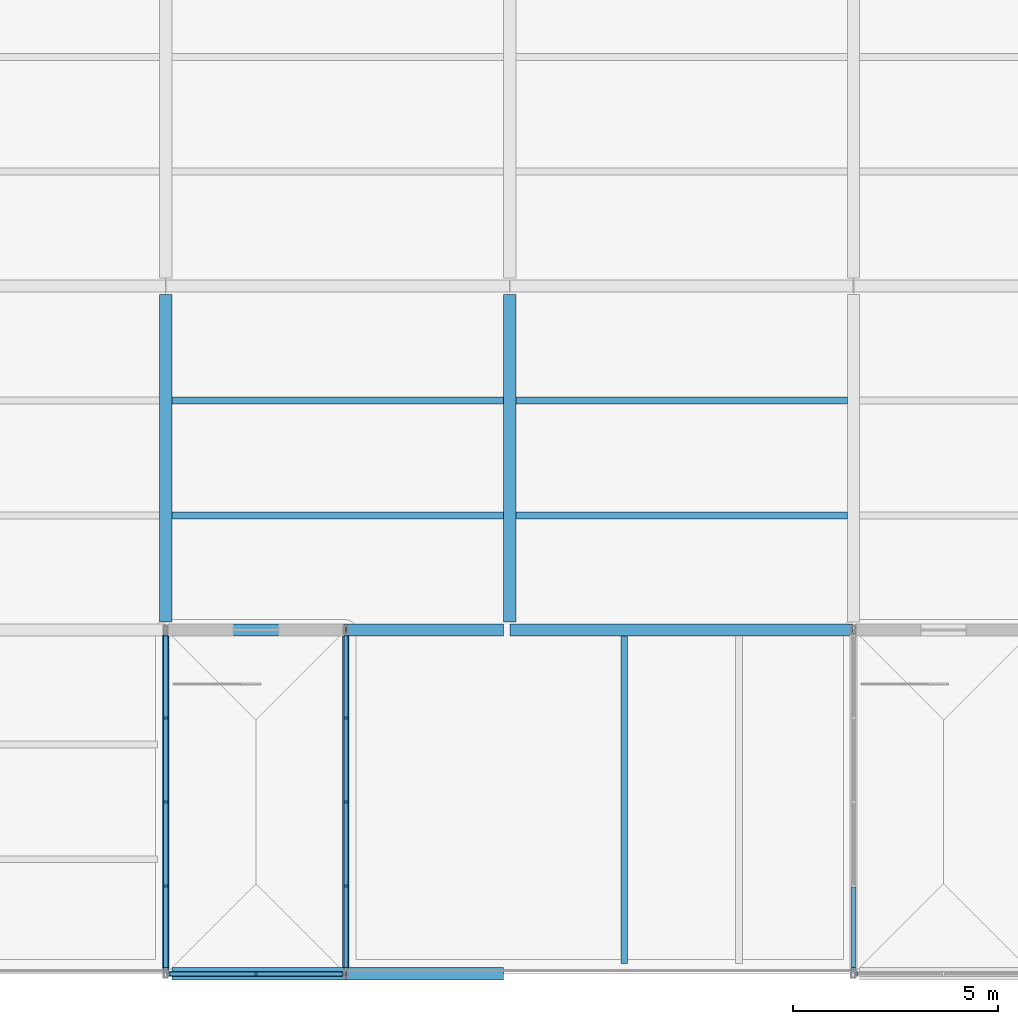
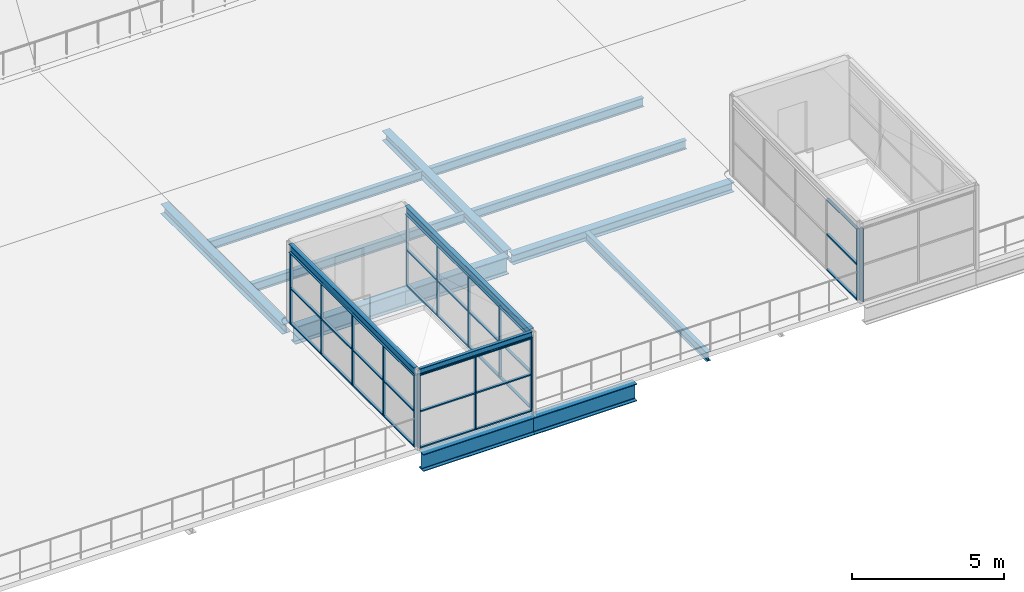
# One storey, part 14 of 58: 48 members, 15 beams, 5 elements without a shape of their own.
"""IFC4 building model written with IfcOpenShell, lengths in metres."""

from ifc_helpers import new_model, si_unit, direction, frame, origin, origin_2d, place, context, subcontext, project, spatial, rectangle, i_section, extrude, material, layer, layer_set, material_profile, profile_set, type_object, element, aggregate, save


model = new_model("IFC4")

# Units and contexts
model_context = context("Model", 3, precision=1e-05, world=origin(), true_north=direction((0.0, 1.0)))
body_context = subcontext(model_context, "Body", "Model", "MODEL_VIEW")
ifc_project = project(units=[si_unit("LENGTHUNIT", "METRE"), si_unit("AREAUNIT", "SQUARE_METRE"), si_unit("VOLUMEUNIT", "CUBIC_METRE"), si_unit("PLANEANGLEUNIT", "RADIAN"), si_unit("MASSUNIT", "GRAM", prefix="KILO")], contexts=[model_context])

# Site, building, storey
site_placement = place(None, origin())
site = spatial("IfcSite", under=ifc_project, at=site_placement, CompositionType="ELEMENT")
building_placement = place(site_placement, origin())
building = spatial("IfcBuilding", under=site, at=building_placement, Name="Galleria Vessillo Department Store", CompositionType="ELEMENT")
storey_placement = place(building_placement, frame((0.0, 0.0, 31.199951171875)))
storey = spatial("IfcBuildingStorey", under=building, at=storey_placement, Name="L06", CompositionType="ELEMENT", Elevation=31.199951171875)

# Curtain wall, members
ifc_material_1 = material(Name="Aluminium and glass curtain wall", Category="aluminium")
ifc_layer = layer(ifc_material_1, 0.10009765625)
ifc_layer_set = layer_set([ifc_layer], Name="Aluminium and glass curtain wall")
curtain_wall_type = type_object("IfcCurtainWallType", Name="Pavilion curtain wall CW5 2100 module", PredefinedType="NOTDEFINED", material=ifc_layer_set)
curtain_wall_1_placement = place(storey_placement, origin())
curtain_wall_1 = element("IfcCurtainWall", 1, at=curtain_wall_1_placement, inside=storey, type_object=curtain_wall_type, Name="Pavilion curtain wall CW5 2100 module PV-ST3-A", PredefinedType="NOTDEFINED")
ifc_material_2 = material(Name="Aluminium alloy 6063 T6", Category="aluminium")
ifc_material_profile_1 = material_profile(ifc_material_2, rectangle(XDim=0.10009765625, YDim=0.050048828125, at=origin_2d()), Name="AL 50x100")
ifc_profile_set_1 = profile_set([ifc_material_profile_1], Name="Aluminium alloy 6063 T6")
member_type_1 = type_object("IfcMemberType", Name="Aluminium mullion 50 x 100", PredefinedType="MULLION", material=ifc_profile_set_1)
member_1_placement = place(storey_placement, frame((33.60009765625, 0.125, 0.0), z_axis=(0.0, 0.0, 1.0), x_axis=(-1.0, 0.0, 0.0)))
member_1 = element("IfcMember", 2, at=member_1_placement, type_object=member_type_1, Name="CW5 mullion 1", PredefinedType="MULLION", context=body_context, shape_type="SweptSolid", body=[
    extrude(rectangle(XDim=0.10009765625, YDim=0.050048828125, at=origin_2d()), origin(), (0.0, 0.0, 1.0), 2.8701171875),
])
member_2_placement = place(storey_placement, frame((33.60009765625, 2.14990234375, 0.0), z_axis=(0.0, 0.0, 1.0), x_axis=(-1.0, 0.0, 0.0)))
member_2 = element("IfcMember", 3, at=member_2_placement, type_object=member_type_1, Name="CW5 mullion 2", PredefinedType="MULLION", context=body_context, shape_type="SweptSolid", body=[
    extrude(rectangle(XDim=0.10009765625, YDim=0.050048828125, at=origin_2d()), origin(), (0.0, 0.0, 1.0), 2.8701171875),
])
member_3_placement = place(storey_placement, frame((33.60009765625, 4.199951171875, 0.0), z_axis=(0.0, 0.0, 1.0), x_axis=(-1.0, 0.0, 0.0)))
member_3 = element("IfcMember", 4, at=member_3_placement, type_object=member_type_1, Name="CW5 mullion 3", PredefinedType="MULLION", context=body_context, shape_type="SweptSolid", body=[
    extrude(rectangle(XDim=0.10009765625, YDim=0.050048828125, at=origin_2d()), origin(), (0.0, 0.0, 1.0), 2.8701171875),
])
member_4_placement = place(storey_placement, frame((33.60009765625, 6.25, 0.0), z_axis=(0.0, 0.0, 1.0), x_axis=(-1.0, 0.0, 0.0)))
member_4 = element("IfcMember", 5, at=member_4_placement, type_object=member_type_1, Name="CW5 mullion 4", PredefinedType="MULLION", context=body_context, shape_type="SweptSolid", body=[
    extrude(rectangle(XDim=0.10009765625, YDim=0.050048828125, at=origin_2d()), origin(), (0.0, 0.0, 1.0), 2.8701171875),
])
member_5_placement = place(storey_placement, frame((33.60009765625, 8.27490234375, 0.0), z_axis=(0.0, 0.0, 1.0), x_axis=(-1.0, 0.0, 0.0)))
member_5 = element("IfcMember", 6, at=member_5_placement, type_object=member_type_1, Name="CW5 mullion 5", PredefinedType="MULLION", context=body_context, shape_type="SweptSolid", body=[
    extrude(rectangle(XDim=0.10009765625, YDim=0.050048828125, at=origin_2d()), origin(), (0.0, 0.0, 1.0), 2.8701171875),
])

curtain_wall_2_placement = place(storey_placement, origin())
curtain_wall_2 = element("IfcCurtainWall", 7, at=curtain_wall_2_placement, inside=storey, type_object=curtain_wall_type, Name="Pavilion curtain wall CW5 2100 module PV-ST3-B", PredefinedType="NOTDEFINED")
member_6_placement = place(storey_placement, frame((38.0, 0.125, 0.0), z_axis=(0.0, 0.0, 1.0), x_axis=(-1.0, 0.0, 0.0)))
member_6 = element("IfcMember", 8, at=member_6_placement, type_object=member_type_1, Name="CW5 mullion 1", PredefinedType="MULLION", context=body_context, shape_type="SweptSolid", body=[
    extrude(rectangle(XDim=0.10009765625, YDim=0.050048828125, at=origin_2d()), origin(), (0.0, 0.0, 1.0), 2.8701171875),
])
member_7_placement = place(storey_placement, frame((38.0, 2.14990234375, 0.0), z_axis=(0.0, 0.0, 1.0), x_axis=(-1.0, 0.0, 0.0)))
member_7 = element("IfcMember", 9, at=member_7_placement, type_object=member_type_1, Name="CW5 mullion 2", PredefinedType="MULLION", context=body_context, shape_type="SweptSolid", body=[
    extrude(rectangle(XDim=0.10009765625, YDim=0.050048828125, at=origin_2d()), origin(), (0.0, 0.0, 1.0), 2.8701171875),
])
member_8_placement = place(storey_placement, frame((38.0, 4.199951171875, 0.0), z_axis=(0.0, 0.0, 1.0), x_axis=(-1.0, 0.0, 0.0)))
member_8 = element("IfcMember", 10, at=member_8_placement, type_object=member_type_1, Name="CW5 mullion 3", PredefinedType="MULLION", context=body_context, shape_type="SweptSolid", body=[
    extrude(rectangle(XDim=0.10009765625, YDim=0.050048828125, at=origin_2d()), origin(), (0.0, 0.0, 1.0), 2.8701171875),
])
member_9_placement = place(storey_placement, frame((38.0, 6.25, 0.0), z_axis=(0.0, 0.0, 1.0), x_axis=(-1.0, 0.0, 0.0)))
member_9 = element("IfcMember", 11, at=member_9_placement, type_object=member_type_1, Name="CW5 mullion 4", PredefinedType="MULLION", context=body_context, shape_type="SweptSolid", body=[
    extrude(rectangle(XDim=0.10009765625, YDim=0.050048828125, at=origin_2d()), origin(), (0.0, 0.0, 1.0), 2.8701171875),
])
member_10_placement = place(storey_placement, frame((38.0, 8.27490234375, 0.0), z_axis=(0.0, 0.0, 1.0), x_axis=(-1.0, 0.0, 0.0)))
member_10 = element("IfcMember", 12, at=member_10_placement, type_object=member_type_1, Name="CW5 mullion 5", PredefinedType="MULLION", context=body_context, shape_type="SweptSolid", body=[
    extrude(rectangle(XDim=0.10009765625, YDim=0.050048828125, at=origin_2d()), origin(), (0.0, 0.0, 1.0), 2.8701171875),
])

curtain_wall_3_placement = place(storey_placement, origin())
curtain_wall_3 = element("IfcCurtainWall", 13, at=curtain_wall_3_placement, inside=storey, type_object=curtain_wall_type, Name="Pavilion curtain wall CW5 2100 module PV-ST3-F", PredefinedType="NOTDEFINED")
member_11_placement = place(storey_placement, frame((33.675048828125, 0.0, 0.0), z_axis=(0.0, 0.0, 1.0), x_axis=(0.0, 1.0, 0.0)))
member_11 = element("IfcMember", 14, at=member_11_placement, type_object=member_type_1, Name="CW5 mullion 1", PredefinedType="MULLION", context=body_context, shape_type="SweptSolid", body=[
    extrude(rectangle(XDim=0.10009765625, YDim=0.050048828125, at=origin_2d()), origin(), (0.0, 0.0, 1.0), 2.960205078125),
])
member_12_placement = place(storey_placement, frame((35.800048828125, 0.0, 0.0), z_axis=(0.0, 0.0, 1.0), x_axis=(0.0, 1.0, 0.0)))
member_12 = element("IfcMember", 15, at=member_12_placement, type_object=member_type_1, Name="CW5 mullion 2", PredefinedType="MULLION", context=body_context, shape_type="SweptSolid", body=[
    extrude(rectangle(XDim=0.10009765625, YDim=0.050048828125, at=origin_2d()), origin(), (0.0, 0.0, 1.0), 2.960205078125),
])
member_13_placement = place(storey_placement, frame((37.925048828125, 0.0, 0.0), z_axis=(0.0, 0.0, 1.0), x_axis=(0.0, 1.0, 0.0)))
member_13 = element("IfcMember", 16, at=member_13_placement, type_object=member_type_1, Name="CW5 mullion 3", PredefinedType="MULLION", context=body_context, shape_type="SweptSolid", body=[
    extrude(rectangle(XDim=0.10009765625, YDim=0.050048828125, at=origin_2d()), origin(), (0.0, 0.0, 1.0), 2.960205078125),
])

# Curtain wall, member
curtain_wall_4_placement = place(storey_placement, origin())
curtain_wall_4 = element("IfcCurtainWall", 17, at=curtain_wall_4_placement, inside=storey, type_object=curtain_wall_type, Name="Pavilion curtain wall CW5 2100 module PV-ST10-A", PredefinedType="NOTDEFINED")
member_14_placement = place(storey_placement, frame((50.39990234375, 0.125, 0.0), z_axis=(0.0, 0.0, 1.0), x_axis=(-1.0, 0.0, 0.0)))
member_14 = element("IfcMember", 18, at=member_14_placement, type_object=member_type_1, Name="CW5 mullion 1", PredefinedType="MULLION", context=body_context, shape_type="SweptSolid", body=[
    extrude(rectangle(XDim=0.10009765625, YDim=0.050048828125, at=origin_2d()), origin(), (0.0, 0.0, 1.0), 2.8701171875),
])

curtain_wall_5_placement = place(storey_placement, origin())
curtain_wall_5 = element("IfcCurtainWall", 19, at=curtain_wall_5_placement, inside=storey, type_object=curtain_wall_type, Name="Pavilion curtain wall CW5 2100 module PV-ST10-F", PredefinedType="NOTDEFINED")
member_15_placement = place(storey_placement, frame((50.474853515625, 0.0, 0.0), z_axis=(0.0, 0.0, 1.0), x_axis=(0.0, 1.0, 0.0)))
member_15 = element("IfcMember", 20, at=member_15_placement, type_object=member_type_1, Name="CW5 mullion 1", PredefinedType="MULLION", context=body_context, shape_type="SweptSolid", body=[
    extrude(rectangle(XDim=0.10009765625, YDim=0.050048828125, at=origin_2d()), origin(), (0.0, 0.0, 1.0), 2.960205078125),
])
aggregate(curtain_wall_5, [member_15])

# Member
ifc_material_3 = material(Name="Aluminium alloy 6063 T6", Category="aluminium")
ifc_material_profile_2 = material_profile(ifc_material_3, rectangle(XDim=0.10009765625, YDim=0.050048828125, at=origin_2d()), Name="AL 50x100")
ifc_profile_set_2 = profile_set([ifc_material_profile_2], Name="Aluminium alloy 6063 T6")
member_type_2 = type_object("IfcMemberType", Name="Aluminium transom 50 x 100", PredefinedType="USERDEFINED", material=ifc_profile_set_2)
member_16_placement = place(storey_placement, frame((33.60009765625, 0.14990234375, 0.025146484375), z_axis=(0.0, 1.0, 0.0), x_axis=(-1.0, 0.0, 0.0)))
member_16 = element("IfcMember", 21, at=member_16_placement, type_object=member_type_2, Name="CW5 transom 1.1", ObjectType="TRANSOM", PredefinedType="USERDEFINED", context=body_context, shape_type="SweptSolid", body=[
    extrude(rectangle(XDim=0.10009765625, YDim=0.050048828125, at=origin_2d()), origin(), (0.0, 0.0, 1.0), 1.97509765625),
])

member_17_placement = place(storey_placement, frame((33.60009765625, 0.14990234375, 1.43505859375), z_axis=(0.0, 1.0, 0.0), x_axis=(-1.0, 0.0, 0.0)))
member_17 = element("IfcMember", 22, at=member_17_placement, type_object=member_type_2, Name="CW5 transom 1.2", ObjectType="TRANSOM", PredefinedType="USERDEFINED", context=body_context, shape_type="SweptSolid", body=[
    extrude(rectangle(XDim=0.10009765625, YDim=0.050048828125, at=origin_2d()), origin(), (0.0, 0.0, 1.0), 1.97509765625),
])

member_18_placement = place(storey_placement, frame((33.60009765625, 0.14990234375, 2.84521484375), z_axis=(0.0, 1.0, 0.0), x_axis=(-1.0, 0.0, 0.0)))
member_18 = element("IfcMember", 23, at=member_18_placement, type_object=member_type_2, Name="CW5 transom 1.3", ObjectType="TRANSOM", PredefinedType="USERDEFINED", context=body_context, shape_type="SweptSolid", body=[
    extrude(rectangle(XDim=0.10009765625, YDim=0.050048828125, at=origin_2d()), origin(), (0.0, 0.0, 1.0), 1.97509765625),
])

member_19_placement = place(storey_placement, frame((33.60009765625, 2.175048828125, 0.025146484375), z_axis=(0.0, 1.0, 0.0), x_axis=(-1.0, 0.0, 0.0)))
member_19 = element("IfcMember", 24, at=member_19_placement, type_object=member_type_2, Name="CW5 transom 2.1", ObjectType="TRANSOM", PredefinedType="USERDEFINED", context=body_context, shape_type="SweptSolid", body=[
    extrude(rectangle(XDim=0.10009765625, YDim=0.050048828125, at=origin_2d()), origin(), (0.0, 0.0, 1.0), 2.0),
])

member_20_placement = place(storey_placement, frame((33.60009765625, 2.175048828125, 1.43505859375), z_axis=(0.0, 1.0, 0.0), x_axis=(-1.0, 0.0, 0.0)))
member_20 = element("IfcMember", 25, at=member_20_placement, type_object=member_type_2, Name="CW5 transom 2.2", ObjectType="TRANSOM", PredefinedType="USERDEFINED", context=body_context, shape_type="SweptSolid", body=[
    extrude(rectangle(XDim=0.10009765625, YDim=0.050048828125, at=origin_2d()), origin(), (0.0, 0.0, 1.0), 2.0),
])

member_21_placement = place(storey_placement, frame((33.60009765625, 2.175048828125, 2.84521484375), z_axis=(0.0, 1.0, 0.0), x_axis=(-1.0, 0.0, 0.0)))
member_21 = element("IfcMember", 26, at=member_21_placement, type_object=member_type_2, Name="CW5 transom 2.3", ObjectType="TRANSOM", PredefinedType="USERDEFINED", context=body_context, shape_type="SweptSolid", body=[
    extrude(rectangle(XDim=0.10009765625, YDim=0.050048828125, at=origin_2d()), origin(), (0.0, 0.0, 1.0), 2.0),
])

member_22_placement = place(storey_placement, frame((33.60009765625, 4.224853515625, 0.025146484375), z_axis=(0.0, 1.0, 0.0), x_axis=(-1.0, 0.0, 0.0)))
member_22 = element("IfcMember", 27, at=member_22_placement, type_object=member_type_2, Name="CW5 transom 3.1", ObjectType="TRANSOM", PredefinedType="USERDEFINED", context=body_context, shape_type="SweptSolid", body=[
    extrude(rectangle(XDim=0.10009765625, YDim=0.050048828125, at=origin_2d()), origin(), (0.0, 0.0, 1.0), 2.0),
])

member_23_placement = place(storey_placement, frame((33.60009765625, 4.224853515625, 1.43505859375), z_axis=(0.0, 1.0, 0.0), x_axis=(-1.0, 0.0, 0.0)))
member_23 = element("IfcMember", 28, at=member_23_placement, type_object=member_type_2, Name="CW5 transom 3.2", ObjectType="TRANSOM", PredefinedType="USERDEFINED", context=body_context, shape_type="SweptSolid", body=[
    extrude(rectangle(XDim=0.10009765625, YDim=0.050048828125, at=origin_2d()), origin(), (0.0, 0.0, 1.0), 2.0),
])

member_24_placement = place(storey_placement, frame((33.60009765625, 4.224853515625, 2.84521484375), z_axis=(0.0, 1.0, 0.0), x_axis=(-1.0, 0.0, 0.0)))
member_24 = element("IfcMember", 29, at=member_24_placement, type_object=member_type_2, Name="CW5 transom 3.3", ObjectType="TRANSOM", PredefinedType="USERDEFINED", context=body_context, shape_type="SweptSolid", body=[
    extrude(rectangle(XDim=0.10009765625, YDim=0.050048828125, at=origin_2d()), origin(), (0.0, 0.0, 1.0), 2.0),
])

member_25_placement = place(storey_placement, frame((33.60009765625, 6.27490234375, 0.025146484375), z_axis=(0.0, 1.0, 0.0), x_axis=(-1.0, 0.0, 0.0)))
member_25 = element("IfcMember", 30, at=member_25_placement, type_object=member_type_2, Name="CW5 transom 4.1", ObjectType="TRANSOM", PredefinedType="USERDEFINED", context=body_context, shape_type="SweptSolid", body=[
    extrude(rectangle(XDim=0.10009765625, YDim=0.050048828125, at=origin_2d()), origin(), (0.0, 0.0, 1.0), 1.97509765625),
])

member_26_placement = place(storey_placement, frame((33.60009765625, 6.27490234375, 1.43505859375), z_axis=(0.0, 1.0, 0.0), x_axis=(-1.0, 0.0, 0.0)))
member_26 = element("IfcMember", 31, at=member_26_placement, type_object=member_type_2, Name="CW5 transom 4.2", ObjectType="TRANSOM", PredefinedType="USERDEFINED", context=body_context, shape_type="SweptSolid", body=[
    extrude(rectangle(XDim=0.10009765625, YDim=0.050048828125, at=origin_2d()), origin(), (0.0, 0.0, 1.0), 1.97509765625),
])

member_27_placement = place(storey_placement, frame((33.60009765625, 6.27490234375, 2.84521484375), z_axis=(0.0, 1.0, 0.0), x_axis=(-1.0, 0.0, 0.0)))
member_27 = element("IfcMember", 32, at=member_27_placement, type_object=member_type_2, Name="CW5 transom 4.3", ObjectType="TRANSOM", PredefinedType="USERDEFINED", context=body_context, shape_type="SweptSolid", body=[
    extrude(rectangle(XDim=0.10009765625, YDim=0.050048828125, at=origin_2d()), origin(), (0.0, 0.0, 1.0), 1.97509765625),
])

aggregate(curtain_wall_1, [member_1, member_2, member_3, member_4, member_5, member_16, member_17, member_18, member_19, member_20, member_21, member_22, member_23, member_24, member_25, member_26, member_27])

member_28_placement = place(storey_placement, frame((38.0, 0.14990234375, 0.025146484375), z_axis=(0.0, 1.0, 0.0), x_axis=(-1.0, 0.0, 0.0)))
member_28 = element("IfcMember", 33, at=member_28_placement, type_object=member_type_2, Name="CW5 transom 1.1", ObjectType="TRANSOM", PredefinedType="USERDEFINED", context=body_context, shape_type="SweptSolid", body=[
    extrude(rectangle(XDim=0.10009765625, YDim=0.050048828125, at=origin_2d()), origin(), (0.0, 0.0, 1.0), 1.97509765625),
])

member_29_placement = place(storey_placement, frame((38.0, 0.14990234375, 1.43505859375), z_axis=(0.0, 1.0, 0.0), x_axis=(-1.0, 0.0, 0.0)))
member_29 = element("IfcMember", 34, at=member_29_placement, type_object=member_type_2, Name="CW5 transom 1.2", ObjectType="TRANSOM", PredefinedType="USERDEFINED", context=body_context, shape_type="SweptSolid", body=[
    extrude(rectangle(XDim=0.10009765625, YDim=0.050048828125, at=origin_2d()), origin(), (0.0, 0.0, 1.0), 1.97509765625),
])

member_30_placement = place(storey_placement, frame((38.0, 0.14990234375, 2.84521484375), z_axis=(0.0, 1.0, 0.0), x_axis=(-1.0, 0.0, 0.0)))
member_30 = element("IfcMember", 35, at=member_30_placement, type_object=member_type_2, Name="CW5 transom 1.3", ObjectType="TRANSOM", PredefinedType="USERDEFINED", context=body_context, shape_type="SweptSolid", body=[
    extrude(rectangle(XDim=0.10009765625, YDim=0.050048828125, at=origin_2d()), origin(), (0.0, 0.0, 1.0), 1.97509765625),
])

member_31_placement = place(storey_placement, frame((38.0, 2.175048828125, 0.025146484375), z_axis=(0.0, 1.0, 0.0), x_axis=(-1.0, 0.0, 0.0)))
member_31 = element("IfcMember", 36, at=member_31_placement, type_object=member_type_2, Name="CW5 transom 2.1", ObjectType="TRANSOM", PredefinedType="USERDEFINED", context=body_context, shape_type="SweptSolid", body=[
    extrude(rectangle(XDim=0.10009765625, YDim=0.050048828125, at=origin_2d()), origin(), (0.0, 0.0, 1.0), 2.0),
])

member_32_placement = place(storey_placement, frame((38.0, 2.175048828125, 1.43505859375), z_axis=(0.0, 1.0, 0.0), x_axis=(-1.0, 0.0, 0.0)))
member_32 = element("IfcMember", 37, at=member_32_placement, type_object=member_type_2, Name="CW5 transom 2.2", ObjectType="TRANSOM", PredefinedType="USERDEFINED", context=body_context, shape_type="SweptSolid", body=[
    extrude(rectangle(XDim=0.10009765625, YDim=0.050048828125, at=origin_2d()), origin(), (0.0, 0.0, 1.0), 2.0),
])

member_33_placement = place(storey_placement, frame((38.0, 2.175048828125, 2.84521484375), z_axis=(0.0, 1.0, 0.0), x_axis=(-1.0, 0.0, 0.0)))
member_33 = element("IfcMember", 38, at=member_33_placement, type_object=member_type_2, Name="CW5 transom 2.3", ObjectType="TRANSOM", PredefinedType="USERDEFINED", context=body_context, shape_type="SweptSolid", body=[
    extrude(rectangle(XDim=0.10009765625, YDim=0.050048828125, at=origin_2d()), origin(), (0.0, 0.0, 1.0), 2.0),
])

member_34_placement = place(storey_placement, frame((38.0, 4.224853515625, 0.025146484375), z_axis=(0.0, 1.0, 0.0), x_axis=(-1.0, 0.0, 0.0)))
member_34 = element("IfcMember", 39, at=member_34_placement, type_object=member_type_2, Name="CW5 transom 3.1", ObjectType="TRANSOM", PredefinedType="USERDEFINED", context=body_context, shape_type="SweptSolid", body=[
    extrude(rectangle(XDim=0.10009765625, YDim=0.050048828125, at=origin_2d()), origin(), (0.0, 0.0, 1.0), 2.0),
])

member_35_placement = place(storey_placement, frame((38.0, 4.224853515625, 1.43505859375), z_axis=(0.0, 1.0, 0.0), x_axis=(-1.0, 0.0, 0.0)))
member_35 = element("IfcMember", 40, at=member_35_placement, type_object=member_type_2, Name="CW5 transom 3.2", ObjectType="TRANSOM", PredefinedType="USERDEFINED", context=body_context, shape_type="SweptSolid", body=[
    extrude(rectangle(XDim=0.10009765625, YDim=0.050048828125, at=origin_2d()), origin(), (0.0, 0.0, 1.0), 2.0),
])

member_36_placement = place(storey_placement, frame((38.0, 4.224853515625, 2.84521484375), z_axis=(0.0, 1.0, 0.0), x_axis=(-1.0, 0.0, 0.0)))
member_36 = element("IfcMember", 41, at=member_36_placement, type_object=member_type_2, Name="CW5 transom 3.3", ObjectType="TRANSOM", PredefinedType="USERDEFINED", context=body_context, shape_type="SweptSolid", body=[
    extrude(rectangle(XDim=0.10009765625, YDim=0.050048828125, at=origin_2d()), origin(), (0.0, 0.0, 1.0), 2.0),
])

member_37_placement = place(storey_placement, frame((38.0, 6.27490234375, 0.025146484375), z_axis=(0.0, 1.0, 0.0), x_axis=(-1.0, 0.0, 0.0)))
member_37 = element("IfcMember", 42, at=member_37_placement, type_object=member_type_2, Name="CW5 transom 4.1", ObjectType="TRANSOM", PredefinedType="USERDEFINED", context=body_context, shape_type="SweptSolid", body=[
    extrude(rectangle(XDim=0.10009765625, YDim=0.050048828125, at=origin_2d()), origin(), (0.0, 0.0, 1.0), 1.97509765625),
])

member_38_placement = place(storey_placement, frame((38.0, 6.27490234375, 1.43505859375), z_axis=(0.0, 1.0, 0.0), x_axis=(-1.0, 0.0, 0.0)))
member_38 = element("IfcMember", 43, at=member_38_placement, type_object=member_type_2, Name="CW5 transom 4.2", ObjectType="TRANSOM", PredefinedType="USERDEFINED", context=body_context, shape_type="SweptSolid", body=[
    extrude(rectangle(XDim=0.10009765625, YDim=0.050048828125, at=origin_2d()), origin(), (0.0, 0.0, 1.0), 1.97509765625),
])

member_39_placement = place(storey_placement, frame((38.0, 6.27490234375, 2.84521484375), z_axis=(0.0, 1.0, 0.0), x_axis=(-1.0, 0.0, 0.0)))
member_39 = element("IfcMember", 44, at=member_39_placement, type_object=member_type_2, Name="CW5 transom 4.3", ObjectType="TRANSOM", PredefinedType="USERDEFINED", context=body_context, shape_type="SweptSolid", body=[
    extrude(rectangle(XDim=0.10009765625, YDim=0.050048828125, at=origin_2d()), origin(), (0.0, 0.0, 1.0), 1.97509765625),
])

aggregate(curtain_wall_2, [member_6, member_7, member_8, member_9, member_10, member_28, member_29, member_30, member_31, member_32, member_33, member_34, member_35, member_36, member_37, member_38, member_39])

member_40_placement = place(storey_placement, frame((33.7001953125, 0.0, 0.025146484375), z_axis=(1.0, 0.0, 0.0), x_axis=(0.0, 1.0, 0.0)))
member_40 = element("IfcMember", 45, at=member_40_placement, type_object=member_type_2, Name="CW5 transom 1.1", ObjectType="TRANSOM", PredefinedType="USERDEFINED", context=body_context, shape_type="SweptSolid", body=[
    extrude(rectangle(XDim=0.10009765625, YDim=0.050048828125, at=origin_2d()), origin(), (0.0, 0.0, 1.0), 2.074951171875),
])

member_41_placement = place(storey_placement, frame((33.7001953125, 0.0, 1.480224609375), z_axis=(1.0, 0.0, 0.0), x_axis=(0.0, 1.0, 0.0)))
member_41 = element("IfcMember", 46, at=member_41_placement, type_object=member_type_2, Name="CW5 transom 1.2", ObjectType="TRANSOM", PredefinedType="USERDEFINED", context=body_context, shape_type="SweptSolid", body=[
    extrude(rectangle(XDim=0.10009765625, YDim=0.050048828125, at=origin_2d()), origin(), (0.0, 0.0, 1.0), 2.074951171875),
])

member_42_placement = place(storey_placement, frame((33.7001953125, 0.0, 2.935302734375), z_axis=(1.0, 0.0, 0.0), x_axis=(0.0, 1.0, 0.0)))
member_42 = element("IfcMember", 47, at=member_42_placement, type_object=member_type_2, Name="CW5 transom 1.3", ObjectType="TRANSOM", PredefinedType="USERDEFINED", context=body_context, shape_type="SweptSolid", body=[
    extrude(rectangle(XDim=0.10009765625, YDim=0.050048828125, at=origin_2d()), origin(), (0.0, 0.0, 1.0), 2.074951171875),
])

member_43_placement = place(storey_placement, frame((35.824951171875, 0.0, 0.025146484375), z_axis=(1.0, 0.0, 0.0), x_axis=(0.0, 1.0, 0.0)))
member_43 = element("IfcMember", 48, at=member_43_placement, type_object=member_type_2, Name="CW5 transom 2.1", ObjectType="TRANSOM", PredefinedType="USERDEFINED", context=body_context, shape_type="SweptSolid", body=[
    extrude(rectangle(XDim=0.10009765625, YDim=0.050048828125, at=origin_2d()), origin(), (0.0, 0.0, 1.0), 2.074951171875),
])

member_44_placement = place(storey_placement, frame((35.824951171875, 0.0, 1.480224609375), z_axis=(1.0, 0.0, 0.0), x_axis=(0.0, 1.0, 0.0)))
member_44 = element("IfcMember", 49, at=member_44_placement, type_object=member_type_2, Name="CW5 transom 2.2", ObjectType="TRANSOM", PredefinedType="USERDEFINED", context=body_context, shape_type="SweptSolid", body=[
    extrude(rectangle(XDim=0.10009765625, YDim=0.050048828125, at=origin_2d()), origin(), (0.0, 0.0, 1.0), 2.074951171875),
])

member_45_placement = place(storey_placement, frame((35.824951171875, 0.0, 2.935302734375), z_axis=(1.0, 0.0, 0.0), x_axis=(0.0, 1.0, 0.0)))
member_45 = element("IfcMember", 50, at=member_45_placement, type_object=member_type_2, Name="CW5 transom 2.3", ObjectType="TRANSOM", PredefinedType="USERDEFINED", context=body_context, shape_type="SweptSolid", body=[
    extrude(rectangle(XDim=0.10009765625, YDim=0.050048828125, at=origin_2d()), origin(), (0.0, 0.0, 1.0), 2.074951171875),
])

aggregate(curtain_wall_3, [member_11, member_12, member_13, member_40, member_41, member_42, member_43, member_44, member_45])

member_46_placement = place(storey_placement, frame((50.39990234375, 0.14990234375, 0.025146484375), z_axis=(0.0, 1.0, 0.0), x_axis=(-1.0, 0.0, 0.0)))
member_46 = element("IfcMember", 51, at=member_46_placement, type_object=member_type_2, Name="CW5 transom 1.1", ObjectType="TRANSOM", PredefinedType="USERDEFINED", context=body_context, shape_type="SweptSolid", body=[
    extrude(rectangle(XDim=0.10009765625, YDim=0.050048828125, at=origin_2d()), origin(), (0.0, 0.0, 1.0), 1.97509765625),
])

member_47_placement = place(storey_placement, frame((50.39990234375, 0.14990234375, 1.43505859375), z_axis=(0.0, 1.0, 0.0), x_axis=(-1.0, 0.0, 0.0)))
member_47 = element("IfcMember", 52, at=member_47_placement, type_object=member_type_2, Name="CW5 transom 1.2", ObjectType="TRANSOM", PredefinedType="USERDEFINED", context=body_context, shape_type="SweptSolid", body=[
    extrude(rectangle(XDim=0.10009765625, YDim=0.050048828125, at=origin_2d()), origin(), (0.0, 0.0, 1.0), 1.97509765625),
])

member_48_placement = place(storey_placement, frame((50.39990234375, 0.14990234375, 2.84521484375), z_axis=(0.0, 1.0, 0.0), x_axis=(-1.0, 0.0, 0.0)))
member_48 = element("IfcMember", 53, at=member_48_placement, type_object=member_type_2, Name="CW5 transom 1.3", ObjectType="TRANSOM", PredefinedType="USERDEFINED", context=body_context, shape_type="SweptSolid", body=[
    extrude(rectangle(XDim=0.10009765625, YDim=0.050048828125, at=origin_2d()), origin(), (0.0, 0.0, 1.0), 1.97509765625),
])

aggregate(curtain_wall_4, [member_14, member_46, member_47, member_48])

# Beams
ifc_material_4 = material(Name="Steel S355 J2", Category="steel")
ifc_material_profile_3 = material_profile(ifc_material_4, i_section(OverallWidth=0.300048828125, OverallDepth=0.389892578125, WebThickness=0.010986328125, FlangeThickness=0.01904296875, FilletRadius=0.027099609375, at=origin_2d()), Name="HEA 400")
ifc_profile_set_3 = profile_set([ifc_material_profile_3], Name="Steel S355 J2")
beam_type_1 = type_object("IfcBeamType", Name="Floor girder HEA 400", PredefinedType="BEAM", material=ifc_profile_set_3)
beam_1_placement = place(storey_placement, frame((42.0068359375, 8.39990234375, -0.39501953125), z_axis=(1.0, 0.0, 0.0), x_axis=(0.0, 1.0, 0.0)))
element("IfcBeam", 54, at=beam_1_placement, inside=storey, type_object=beam_type_1, Name="S-BM-L06-GI-x8400-42007", PredefinedType="BEAM", context=body_context, shape_type="SweptSolid", body=[
    extrude(i_section(OverallWidth=0.300048828125, OverallDepth=0.389892578125, WebThickness=0.010986328125, FlangeThickness=0.01904296875, FilletRadius=0.027099609375, at=origin_2d()), origin(), (0.0, 0.0, 1.0), 8.38623046875),
])
for number, where, z_axis, x_axis, name in (
    (55, (33.60009765625, 8.60009765625, -0.39501953125), (0.0, 1.0, 0.0), (-1.0, 0.0, 0.0), "S-BM-L06-GI-y33600-8600"),
    (56, (42.0, 8.60009765625, -0.39501953125), (0.0, 1.0, 0.0), (-1.0, 0.0, 0.0), "S-BM-L06-GI-y42000-8600"),
):
    element("IfcBeam", number, at=place(storey_placement, frame(where, z_axis=z_axis, x_axis=x_axis)), inside=storey, type_object=beam_type_1, Name=name, PredefinedType="BEAM", context=body_context, shape_type="SweptSolid", body=[
        extrude(i_section(OverallWidth=0.300048828125, OverallDepth=0.389892578125, WebThickness=0.010986328125, FlangeThickness=0.01904296875, FilletRadius=0.027099609375, at=origin_2d()), origin(), (0.0, 0.0, 1.0), 7.999755859375),
    ])
ifc_material_5 = material(Name="Steel S355 J2", Category="steel")
ifc_material_profile_4 = material_profile(ifc_material_5, i_section(OverallWidth=0.169921875, OverallDepth=0.360107421875, WebThickness=0.008056640625, FlangeThickness=0.0126953125, FilletRadius=0.01806640625, at=origin_2d()), Name="IPE 360")
ifc_profile_set_4 = profile_set([ifc_material_profile_4], Name="Steel S355 J2")
beam_type_2 = type_object("IfcBeamType", Name="Floor joist IPE 360", PredefinedType="JOIST", material=ifc_profile_set_4)
for number, where, z_axis, x_axis, name in (
    (57, (33.750244140625, 11.199951171875, -0.3798828125), (1.0, 0.0, 0.0), (0.0, 1.0, 0.0), "S-BM-L06-JO-x11200-33750"),
    (58, (33.750244140625, 14.0, -0.3798828125), (1.0, 0.0, 0.0), (0.0, 1.0, 0.0), "S-BM-L06-JO-x14000-33750"),
):
    element("IfcBeam", number, at=place(storey_placement, frame(where, z_axis=z_axis, x_axis=x_axis)), inside=storey, type_object=beam_type_2, Name=name, PredefinedType="JOIST", context=body_context, shape_type="SweptSolid", body=[
        extrude(i_section(OverallWidth=0.169921875, OverallDepth=0.360107421875, WebThickness=0.008056640625, FlangeThickness=0.0126953125, FilletRadius=0.01806640625, at=origin_2d()), origin(), (0.0, 0.0, 1.0), 8.099609375),
    ])
beam_2_placement = place(storey_placement, frame((44.800048828125, 0.250244140625, -0.3798828125), z_axis=(0.0, 1.0, 0.0), x_axis=(-1.0, 0.0, 0.0)))
element("IfcBeam", 59, at=beam_2_placement, inside=storey, type_object=beam_type_2, Name="S-BM-L06-JO-y44800-250", PredefinedType="JOIST", context=body_context, shape_type="SweptSolid", body=[
    extrude(i_section(OverallWidth=0.169921875, OverallDepth=0.360107421875, WebThickness=0.008056640625, FlangeThickness=0.0126953125, FilletRadius=0.01806640625, at=origin_2d()), origin(), (0.0, 0.0, 1.0), 7.99951171875),
])
for number, where, z_axis, x_axis, name in (
    (60, (42.150146484375, 11.199951171875, -0.3798828125), (1.0, 0.0, 0.0), (0.0, 1.0, 0.0), "S-BM-L06-JO-x11200-42150"),
    (61, (42.150146484375, 14.0, -0.3798828125), (1.0, 0.0, 0.0), (0.0, 1.0, 0.0), "S-BM-L06-JO-x14000-42150"),
):
    element("IfcBeam", number, at=place(storey_placement, frame(where, z_axis=z_axis, x_axis=x_axis)), inside=storey, type_object=beam_type_2, Name=name, PredefinedType="JOIST", context=body_context, shape_type="SweptSolid", body=[
        extrude(i_section(OverallWidth=0.169921875, OverallDepth=0.360107421875, WebThickness=0.008056640625, FlangeThickness=0.0126953125, FilletRadius=0.01806640625, at=origin_2d()), origin(), (0.0, 0.0, 1.0), 8.099609375),
    ])
ifc_material_6 = material(Name="Steel S355 J2", Category="steel")
ifc_material_profile_5 = material_profile(ifc_material_6, i_section(OverallWidth=0.300048828125, OverallDepth=0.68994140625, WebThickness=0.014404296875, FlangeThickness=0.027099609375, FilletRadius=0.027099609375, at=origin_2d()), Name="HEA 700")
ifc_profile_set_5 = profile_set([ifc_material_profile_5], Name="Steel S355 J2")
beam_type_3 = type_object("IfcBeamType", Name="Pavilion base beam HEA 700", PredefinedType="BEAM", material=ifc_profile_set_5)
beam_3_placement = place(storey_placement, frame((33.750244140625, 0.0, -0.544921875), z_axis=(1.0, 0.0, 0.0), x_axis=(0.0, 1.0, 0.0)))
element("IfcBeam", 62, at=beam_3_placement, inside=storey, type_object=beam_type_3, Name="S-BB-ST3-PE1", PredefinedType="BEAM", context=body_context, shape_type="SweptSolid", body=[
    extrude(i_section(OverallWidth=0.300048828125, OverallDepth=0.68994140625, WebThickness=0.014404296875, FlangeThickness=0.027099609375, FilletRadius=0.027099609375, at=origin_2d()), origin(), (0.0, 0.0, 1.0), 4.24951171875),
])
beam_4_placement = place(storey_placement, frame((38.000244140625, 0.0, -0.544921875), z_axis=(1.0, 0.0, 0.0), x_axis=(0.0, 1.0, 0.0)))
element("IfcBeam", 63, at=beam_4_placement, inside=storey, type_object=beam_type_3, Name="S-BB-ST3-PE2", PredefinedType="BEAM", context=body_context, shape_type="SweptSolid", body=[
    extrude(i_section(OverallWidth=0.300048828125, OverallDepth=0.68994140625, WebThickness=0.014404296875, FlangeThickness=0.027099609375, FilletRadius=0.027099609375, at=origin_2d()), origin(), (0.0, 0.0, 1.0), 3.849609375),
])
beam_5_placement = place(storey_placement, frame((33.750244140625, 8.39990234375, -0.544921875), z_axis=(1.0, 0.0, 0.0), x_axis=(0.0, 1.0, 0.0)))
element("IfcBeam", 64, at=beam_5_placement, inside=storey, type_object=beam_type_3, Name="S-BB-ST3-DE1", PredefinedType="BEAM", context=body_context, shape_type="SweptSolid", body=[
    extrude(i_section(OverallWidth=0.300048828125, OverallDepth=0.68994140625, WebThickness=0.014404296875, FlangeThickness=0.027099609375, FilletRadius=0.027099609375, at=origin_2d()), origin(), (0.0, 0.0, 1.0), 4.24951171875),
])
beam_6_placement = place(storey_placement, frame((38.000244140625, 8.39990234375, -0.544921875), z_axis=(1.0, 0.0, 0.0), x_axis=(0.0, 1.0, 0.0)))
element("IfcBeam", 65, at=beam_6_placement, inside=storey, type_object=beam_type_3, Name="S-BB-ST3-DE2", PredefinedType="BEAM", context=body_context, shape_type="SweptSolid", body=[
    extrude(i_section(OverallWidth=0.300048828125, OverallDepth=0.68994140625, WebThickness=0.014404296875, FlangeThickness=0.027099609375, FilletRadius=0.027099609375, at=origin_2d()), origin(), (0.0, 0.0, 1.0), 3.849609375),
])
ifc_material_7 = material(Name="Steel S355 J2", Category="steel")
ifc_material_profile_6 = material_profile(ifc_material_7, i_section(OverallWidth=0.1201171875, OverallDepth=0.239990234375, WebThickness=0.006103515625, FlangeThickness=0.009765625, FilletRadius=0.014892578125, at=origin_2d()), Name="IPE 240")
ifc_profile_set_6 = profile_set([ifc_material_profile_6], Name="Steel S355 J2")
beam_type_4 = type_object("IfcBeamType", Name="Roof end beam IPE 240", PredefinedType="BEAM", material=ifc_profile_set_6)
beam_7_placement = place(storey_placement, frame((33.650146484375, 0.0, 3.080078125), z_axis=(1.0, 0.0, 0.0), x_axis=(0.0, 1.0, 0.0)))
element("IfcBeam", 66, at=beam_7_placement, inside=storey, type_object=beam_type_4, Name="S-RB-ST3-P", PredefinedType="BEAM", context=body_context, shape_type="SweptSolid", body=[
    extrude(i_section(OverallWidth=0.1201171875, OverallDepth=0.239990234375, WebThickness=0.006103515625, FlangeThickness=0.009765625, FilletRadius=0.014892578125, at=origin_2d()), origin(), (0.0, 0.0, 1.0), 4.2998046875),
])
ifc_material_8 = material(Name="Steel S355 J2", Category="steel")
ifc_material_profile_7 = material_profile(ifc_material_8, i_section(OverallWidth=0.159912109375, OverallDepth=0.330078125, WebThickness=0.007568359375, FlangeThickness=0.011474609375, FilletRadius=0.01806640625, at=origin_2d()), Name="IPE 330")
ifc_profile_set_7 = profile_set([ifc_material_profile_7], Name="Steel S355 J2")
beam_type_5 = type_object("IfcBeamType", Name="Roof side beam IPE 330", PredefinedType="BEAM", material=ifc_profile_set_7)
for number, where, z_axis, x_axis, name in (
    (67, (33.60009765625, 0.10009765625, 3.03515625), (0.0, 1.0, 0.0), (-1.0, 0.0, 0.0), "S-RB-ST3-W"),
    (68, (38.0, 0.10009765625, 3.03515625), (0.0, 1.0, 0.0), (-1.0, 0.0, 0.0), "S-RB-ST3-E"),
):
    element("IfcBeam", number, at=place(storey_placement, frame(where, z_axis=z_axis, x_axis=x_axis)), inside=storey, type_object=beam_type_5, Name=name, PredefinedType="BEAM", context=body_context, shape_type="SweptSolid", body=[
        extrude(i_section(OverallWidth=0.159912109375, OverallDepth=0.330078125, WebThickness=0.007568359375, FlangeThickness=0.011474609375, FilletRadius=0.01806640625, at=origin_2d()), origin(), (0.0, 0.0, 1.0), 8.19970703125),
    ])

save(model, "model.ifc")
